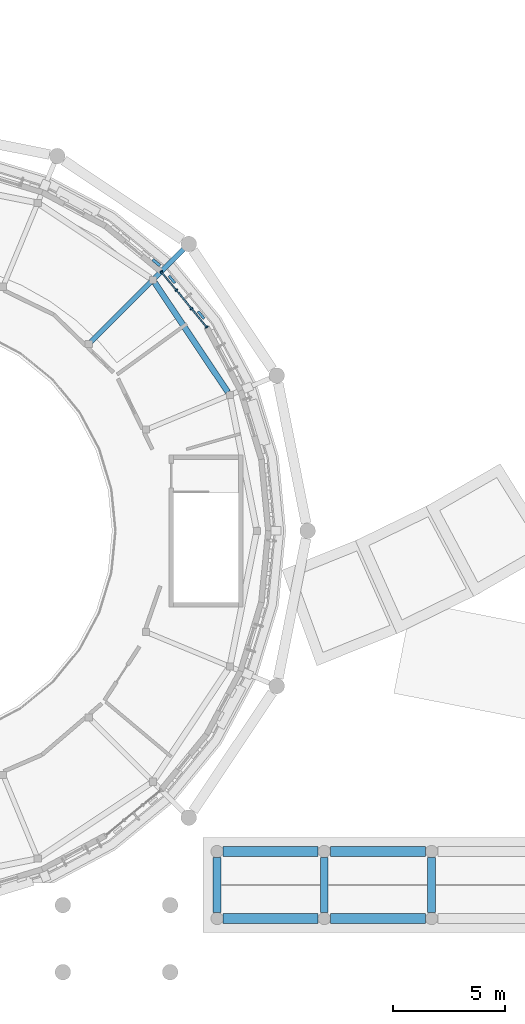
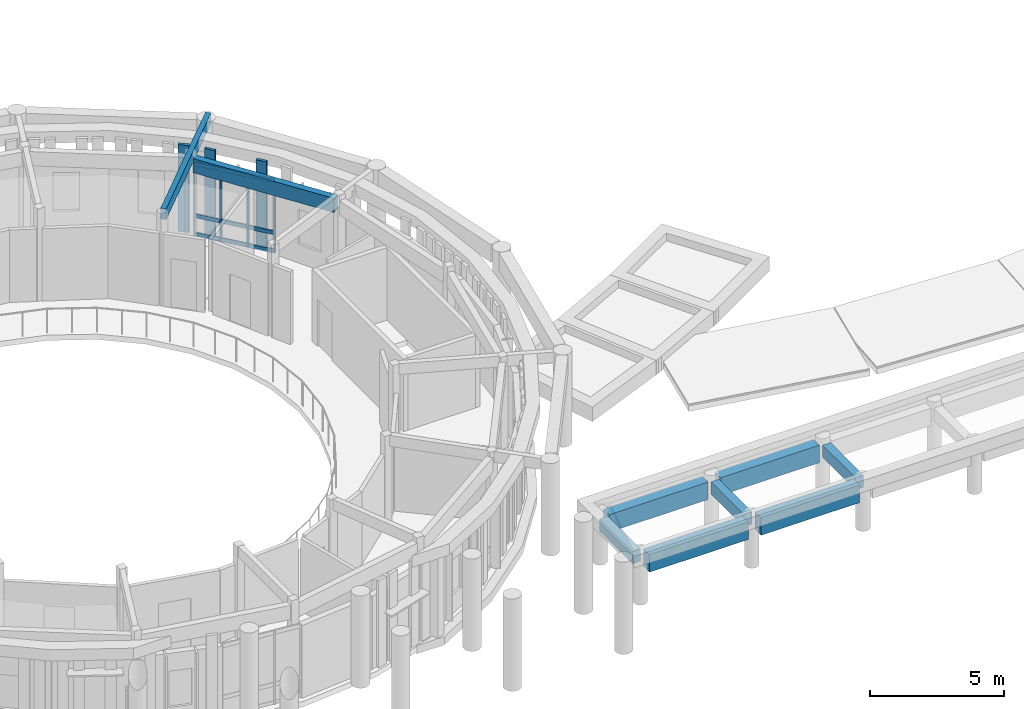
# One storey, part 14 of 80: 11 members, 8 beams, 1 element without a shape of its own.
"""IFC4 building model written with IfcOpenShell, lengths in metres."""

from ifc_helpers import new_model, si_unit, direction, frame, origin, origin_2d, place, context, subcontext, project, spatial, rectangle, extrude, material, layer, layer_set, material_profile, profile_set, type_object, element, aggregate, save


model = new_model("IFC4")

# Units and contexts
model_context = context("Model", 3, precision=1e-05, world=origin(), true_north=direction((0.0, 1.0)))
body_context = subcontext(model_context, "Body", "Model", "MODEL_VIEW")
ifc_project = project(units=[si_unit("LENGTHUNIT", "METRE"), si_unit("AREAUNIT", "SQUARE_METRE"), si_unit("VOLUMEUNIT", "CUBIC_METRE"), si_unit("PLANEANGLEUNIT", "RADIAN"), si_unit("MASSUNIT", "GRAM", prefix="KILO")], contexts=[model_context])

# Site, building, storey
site_placement = place(None, origin())
site = spatial("IfcSite", under=ifc_project, at=site_placement, CompositionType="ELEMENT")
building_placement = place(site_placement, origin())
building = spatial("IfcBuilding", under=site, at=building_placement, Name="Aldenvaro Health Centre", CompositionType="ELEMENT")
storey_placement = place(building_placement, frame((0.0, 0.0, 4.550048828125)))
storey = spatial("IfcBuildingStorey", under=building, at=storey_placement, Name="L01", CompositionType="ELEMENT", Elevation=4.550048828125)

# Beams
ifc_material_1 = material(Name="Glulam GL28h", Category="wood")
ifc_material_profile_1 = material_profile(ifc_material_1, rectangle(XDim=0.264892578125, YDim=0.64599609375, at=origin_2d()), Name="GL 265x646", Category="wood")
ifc_profile_set_1 = profile_set([ifc_material_profile_1], Name="Glulam GL28h")
beam_type_1 = type_object("IfcBeamType", Name="BM-GL-646", PredefinedType="SPANDREL", material=ifc_profile_set_1)
beam_placement = place(storey_placement, frame((101.583984375, 26.2080078125, 3.636962890625), z_axis=(-0.555657760131, 0.831411121893, 0.0), x_axis=(-0.831411121893, -0.555657760131, 0.0)))
element("IfcBeam", 1, at=beam_placement, inside=storey, type_object=beam_type_1, Name="D1 L01 perimeter spandrel 02", PredefinedType="SPANDREL", context=body_context, shape_type="SweptSolid", body=[
    extrude(rectangle(XDim=0.264892578125, YDim=0.64599609375, at=origin_2d()), origin(), (0.0, 0.0, 1.0), 5.88134765625),
])
ifc_material_2 = material(Name="Concrete f'c 40 MPa", Category="concrete")
ifc_material_profile_2 = material_profile(ifc_material_2, rectangle(XDim=0.35009765625, YDim=0.56005859375, at=origin_2d()), Name="RC 350x560", Category="concrete")
ifc_profile_set_2 = profile_set([ifc_material_profile_2], Name="Concrete f'c 40 MPa")
beam_type_2 = type_object("IfcBeamType", Name="BM-RC-560E", PredefinedType="JOIST", material=ifc_profile_set_2)
for number, where, z_axis, x_axis, name in (
    (2, (101.10009765625, 2.925048828125, 1.869873046875), (0.0, 1.0, 0.0), (-1.0, 0.0, 0.0), "South Stoa E Transverse Beam L01-1"),
    (3, (105.89990234375, 2.925048828125, 1.869873046875), (0.0, 1.0, 0.0), (-1.0, 0.0, 0.0), "South Stoa E Transverse Beam L01-2"),
    (4, (110.699951171875, 2.925048828125, 1.869873046875), (0.0, 1.0, 0.0), (-1.0, 0.0, 0.0), "South Stoa E Transverse Beam L01-3"),
):
    element("IfcBeam", number, at=place(storey_placement, frame(where, z_axis=z_axis, x_axis=x_axis)), inside=storey, type_object=beam_type_2, Name=name, PredefinedType="JOIST", context=body_context, shape_type="SweptSolid", body=[
        extrude(rectangle(XDim=0.35009765625, YDim=0.56005859375, at=origin_2d()), origin(), (0.0, 0.0, 1.0), 2.449951171875),
    ])
ifc_material_profile_3 = material_profile(ifc_material_2, rectangle(XDim=0.449951171875, YDim=0.800048828125, at=origin_2d()), Name="RC 450x800", Category="concrete")
ifc_profile_set_3 = profile_set([ifc_material_profile_3], Name="Concrete f'c 40 MPa")
beam_type_3 = type_object("IfcBeamType", Name="BM-RC-800", PredefinedType="SPANDREL", material=ifc_profile_set_3)
for number, where, z_axis, x_axis, name in (
    (5, (101.375, 2.64990234375, 1.75), (1.0, 0.0, 0.0), (0.0, 1.0, 0.0), "South Stoa E Classical Architrave L01-1.1"),
    (6, (101.375, 5.64990234375, 1.75), (1.0, 0.0, 0.0), (0.0, 1.0, 0.0), "South Stoa E Classical Architrave L01-1.2"),
    (7, (106.175048828125, 2.64990234375, 1.75), (1.0, 0.0, 0.0), (0.0, 1.0, 0.0), "South Stoa E Classical Architrave L01-2.1"),
    (8, (106.175048828125, 5.64990234375, 1.75), (1.0, 0.0, 0.0), (0.0, 1.0, 0.0), "South Stoa E Classical Architrave L01-2.2"),
):
    element("IfcBeam", number, at=place(storey_placement, frame(where, z_axis=z_axis, x_axis=x_axis)), inside=storey, type_object=beam_type_3, Name=name, PredefinedType="SPANDREL", context=body_context, shape_type="SweptSolid", body=[
        extrude(rectangle(XDim=0.449951171875, YDim=0.800048828125, at=origin_2d()), origin(), (0.0, 0.0, 1.0), 4.25),
    ])

# Curtain wall, members
ifc_material_3 = material(Name="Anodised Aluminium 6063-T6", Category="aluminium")
ifc_layer = layer(ifc_material_3, 0.179931640625, Name="Anodised Aluminium 6063-T6", Category="aluminium")
ifc_layer_set = layer_set([ifc_layer], Name="Anodised Aluminium 6063-T6")
curtain_wall_type = type_object("IfcCurtainWallType", Name="CW-ROT-01", PredefinedType="NOTDEFINED", material=ifc_layer_set)
curtain_wall_placement = place(storey_placement, origin())
curtain_wall = element("IfcCurtainWall", 9, at=curtain_wall_placement, inside=storey, type_object=curtain_wall_type, Name="D1 L01 curtain wall bay 29", PredefinedType="NOTDEFINED")
ifc_material_profile_4 = material_profile(ifc_material_3, rectangle(XDim=0.06005859375, YDim=0.135009765625, at=origin_2d()), Name="ALU 60x135", Category="aluminium")
ifc_profile_set_4 = profile_set([ifc_material_profile_4], Name="Anodised Aluminium 6063-T6")
member_type_1 = type_object("IfcMemberType", Name="CWM-150", PredefinedType="MULLION", material=ifc_profile_set_4)
member_1_placement = place(storey_placement, frame((98.596923828125, 31.596923828125, 0.0), z_axis=(0.0, 0.0, 1.0), x_axis=(0.634168850528, -0.773194586776, 0.0)))
member_1 = element("IfcMember", 10, at=member_1_placement, type_object=member_type_1, Name="D1 L01 curtain wall bay 29 mullion 1", PredefinedType="MULLION", context=body_context, shape_type="SweptSolid", body=[
    extrude(rectangle(XDim=0.06005859375, YDim=0.135009765625, at=origin_2d()), origin(), (0.0, 0.0, 1.0), 3.31396484375),
])
member_2_placement = place(storey_placement, frame((99.277099609375, 30.76806640625, 0.0), z_axis=(0.0, 0.0, 1.0), x_axis=(0.634168850528, -0.773194586776, 0.0)))
member_2 = element("IfcMember", 11, at=member_2_placement, type_object=member_type_1, Name="D1 L01 curtain wall bay 29 mullion 2", PredefinedType="MULLION", context=body_context, shape_type="SweptSolid", body=[
    extrude(rectangle(XDim=0.06005859375, YDim=0.135009765625, at=origin_2d()), origin(), (0.0, 0.0, 1.0), 3.31396484375),
])
member_3_placement = place(storey_placement, frame((99.9560546875, 29.93994140625, 0.0), z_axis=(0.0, 0.0, 1.0), x_axis=(0.634168850528, -0.773194586776, 0.0)))
member_3 = element("IfcMember", 12, at=member_3_placement, type_object=member_type_1, Name="D1 L01 curtain wall bay 29 mullion 3", PredefinedType="MULLION", context=body_context, shape_type="SweptSolid", body=[
    extrude(rectangle(XDim=0.06005859375, YDim=0.135009765625, at=origin_2d()), origin(), (0.0, 0.0, 1.0), 3.31396484375),
])
member_4_placement = place(storey_placement, frame((100.635986328125, 29.111083984375, 0.0), z_axis=(0.0, 0.0, 1.0), x_axis=(0.634168850528, -0.773194586776, 0.0)))
member_4 = element("IfcMember", 13, at=member_4_placement, type_object=member_type_1, Name="D1 L01 curtain wall bay 29 mullion 4", PredefinedType="MULLION", context=body_context, shape_type="SweptSolid", body=[
    extrude(rectangle(XDim=0.06005859375, YDim=0.135009765625, at=origin_2d()), origin(), (0.0, 0.0, 1.0), 3.31396484375),
])
ifc_material_profile_5 = material_profile(ifc_material_3, rectangle(XDim=0.06494140625, YDim=0.179931640625, at=origin_2d()), Name="ALU 65x180", Category="aluminium")
ifc_profile_set_5 = profile_set([ifc_material_profile_5], Name="Anodised Aluminium 6063-T6")
member_type_2 = type_object("IfcMemberType", Name="CWT-150", PredefinedType="USERDEFINED", material=ifc_profile_set_5)
member_5_placement = place(storey_placement, frame((98.596923828125, 31.596923828125, 0.06005859375), z_axis=(0.634204896314, -0.773165020866, 0.0), x_axis=(0.773165020866, 0.634204896314, 0.0)))
member_5 = element("IfcMember", 14, at=member_5_placement, type_object=member_type_2, Name="D1 L01 curtain wall bay 29 transom 1", ObjectType="TRANSOM", PredefinedType="USERDEFINED", context=body_context, shape_type="SweptSolid", body=[
    extrude(rectangle(XDim=0.06494140625, YDim=0.179931640625, at=origin_2d()), origin(), (0.0, 0.0, 1.0), 3.215087890625),
])
member_6_placement = place(storey_placement, frame((98.596923828125, 31.596923828125, 0.89990234375), z_axis=(0.634204896314, -0.773165020866, 0.0), x_axis=(0.773165020866, 0.634204896314, 0.0)))
member_6 = element("IfcMember", 15, at=member_6_placement, type_object=member_type_2, Name="D1 L01 curtain wall bay 29 transom 2", ObjectType="TRANSOM", PredefinedType="USERDEFINED", context=body_context, shape_type="SweptSolid", body=[
    extrude(rectangle(XDim=0.06494140625, YDim=0.179931640625, at=origin_2d()), origin(), (0.0, 0.0, 1.0), 3.215087890625),
])
member_7_placement = place(storey_placement, frame((98.596923828125, 31.596923828125, 3.25390625), z_axis=(0.634204896314, -0.773165020866, 0.0), x_axis=(0.773165020866, 0.634204896314, 0.0)))
member_7 = element("IfcMember", 16, at=member_7_placement, type_object=member_type_2, Name="D1 L01 curtain wall bay 29 transom 3", ObjectType="TRANSOM", PredefinedType="USERDEFINED", context=body_context, shape_type="SweptSolid", body=[
    extrude(rectangle(XDim=0.06494140625, YDim=0.179931640625, at=origin_2d()), origin(), (0.0, 0.0, 1.0), 3.215087890625),
])
aggregate(curtain_wall, [member_1, member_2, member_3, member_4, member_5, member_6, member_7])

# Members
ifc_material_profile_6 = material_profile(ifc_material_1, rectangle(XDim=0.215087890625, YDim=0.493896484375, at=origin_2d()), Name="GL 215x494", Category="wood")
ifc_profile_set_6 = profile_set([ifc_material_profile_6], Name="Glulam GL28h")
member_type_3 = type_object("IfcMemberType", Name="MEM-RF-494", PredefinedType="RAFTER", material=ifc_profile_set_6)
member_8_placement = place(storey_placement, frame((100.031982421875, 33.031982421875, 3.952880859375), z_axis=(-0.707106781187, -0.707106781187, 0.0), x_axis=(0.707106781187, -0.707106781187, 0.0)))
element("IfcMember", 17, at=member_8_placement, inside=storey, type_object=member_type_3, Name="Waiting Rotunda Cornice Outrigger Rafter 03", PredefinedType="RAFTER", context=body_context, shape_type="SweptSolid", body=[
    extrude(rectangle(XDim=0.215087890625, YDim=0.493896484375, at=origin_2d()), origin(), (0.0, 0.0, 1.0), 6.469970703125),
])
ifc_material_profile_7 = material_profile(ifc_material_1, rectangle(XDim=0.114990234375, YDim=0.419921875, at=origin_2d()), Name="GL 115x420", Category="wood")
ifc_profile_set_7 = profile_set([ifc_material_profile_7], Name="Glulam GL28h")
member_type_4 = type_object("IfcMemberType", Name="MEM-SLT-420A", PredefinedType="POST", material=ifc_profile_set_7)
for number, where, z_axis, x_axis, name in (
    (18, (99.080078125, 31.2451171875, 0.0), (0.0, 0.0, 1.0), (0.773194586776, 0.634168850528, 0.0), "D1 L01 curtain mullion timber slat 29"),
    (19, (100.385009765625, 29.654052734375, 0.0), (0.0, 0.0, 1.0), (0.773194586776, 0.634168850528, 0.0), "D1 L01 curtain mullion timber slat 29"),
):
    element("IfcMember", number, at=place(storey_placement, frame(where, z_axis=z_axis, x_axis=x_axis)), inside=storey, type_object=member_type_4, Name=name, PredefinedType="POST", context=body_context, shape_type="SweptSolid", body=[
        extrude(rectangle(XDim=0.114990234375, YDim=0.419921875, at=origin_2d()), origin(), (0.0, 0.0, 1.0), 3.9599609375),
    ])
ifc_material_profile_8 = material_profile(ifc_material_1, rectangle(XDim=0.1298828125, YDim=0.419921875, at=origin_2d()), Name="GL 130x420", Category="wood")
ifc_profile_set_8 = profile_set([ifc_material_profile_8], Name="Glulam GL28h")
member_type_5 = type_object("IfcMemberType", Name="MEM-SLT-420B", PredefinedType="POST", material=ifc_profile_set_8)
member_9_placement = place(storey_placement, frame((98.383056640625, 31.9990234375, 0.0), z_axis=(0.0, 0.0, 1.0), x_axis=(0.634168850528, 0.773194586776, 0.0)))
element("IfcMember", 20, at=member_9_placement, inside=storey, type_object=member_type_5, Name="D1 L01 vertical timber slat 28.5", PredefinedType="POST", context=body_context, shape_type="SweptSolid", body=[
    extrude(rectangle(XDim=0.1298828125, YDim=0.419921875, at=origin_2d()), origin(), (0.0, 0.0, 1.0), 3.9599609375),
])

save(model, "model.ifc")
